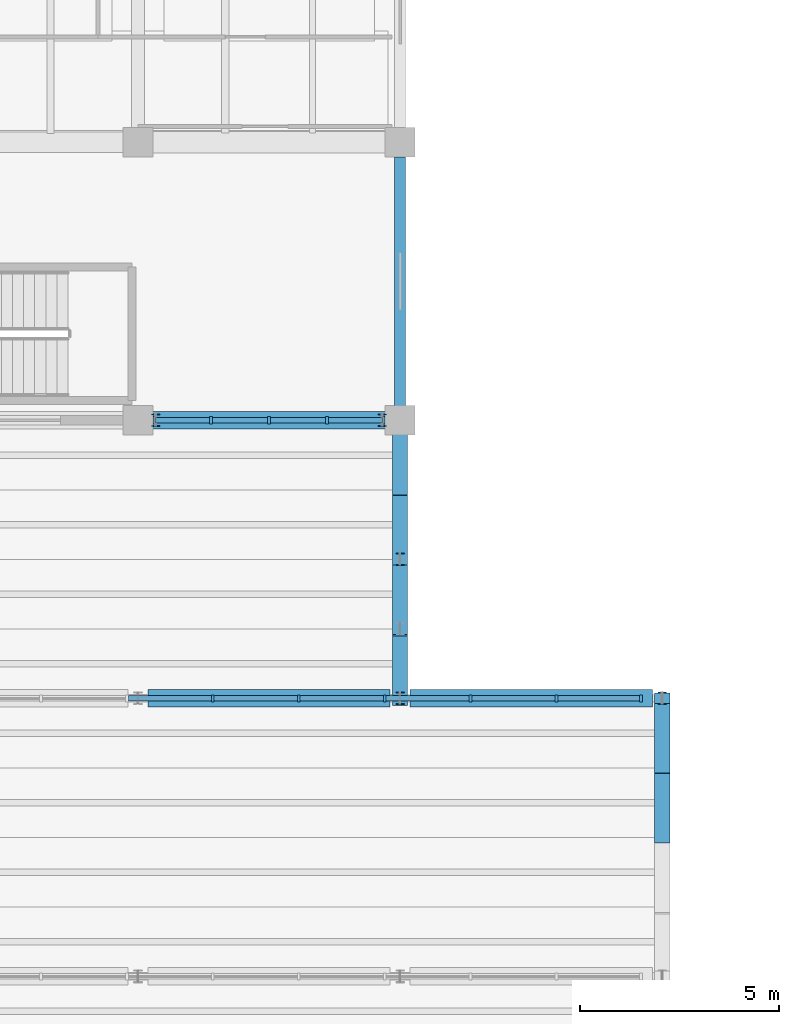
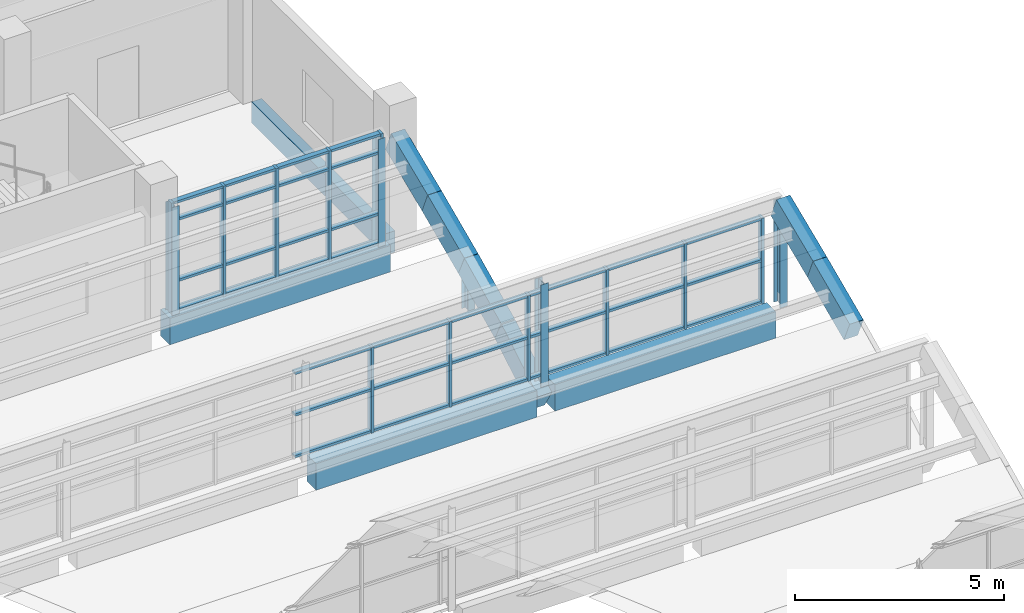
# One storey, part 58 of 92: 50 members, 10 beams, 2 elements without a shape of their own.
"""IFC4 building model written with IfcOpenShell, lengths in metres."""

from ifc_helpers import new_model, si_unit, direction, frame, origin, origin_2d, place, context, subcontext, project, spatial, rectangle, i_section, extrude, material, material_profile, profile_set, type_object, element, aggregate, save


model = new_model("IFC4")

# Units and contexts
model_context = context("Model", 3, precision=1e-05, world=origin(), true_north=direction((0.0, 1.0)))
body_context = subcontext(model_context, "Body", "Model", "MODEL_VIEW")
ifc_project = project(units=[si_unit("LENGTHUNIT", "METRE"), si_unit("AREAUNIT", "SQUARE_METRE"), si_unit("VOLUMEUNIT", "CUBIC_METRE"), si_unit("PLANEANGLEUNIT", "RADIAN"), si_unit("MASSUNIT", "GRAM", prefix="KILO")], contexts=[model_context])

# Site, building, storey
site_placement = place(None, origin())
site = spatial("IfcSite", under=ifc_project, at=site_placement, CompositionType="ELEMENT")
building_placement = place(site_placement, origin())
building = spatial("IfcBuilding", under=site, at=building_placement, Name="Ciguamira Faculty of Natural Sciences", CompositionType="ELEMENT")
storey_placement = place(building_placement, frame((0.0, 0.0, 16.800048828125)))
storey = spatial("IfcBuildingStorey", under=building, at=storey_placement, Name="L04", CompositionType="ELEMENT", Elevation=16.800048828125)

# Curtain wall, members
ifc_material_1 = material(Name="Anodized aluminium curtain wall", Category="aluminium")
curtain_wall_type_1 = type_object("IfcCurtainWallType", Name="CurtainWall_CW-05", PredefinedType="USERDEFINED", material=ifc_material_1)
curtain_wall_1_placement = place(storey_placement, origin())
curtain_wall_1 = element("IfcCurtainWall", 1, at=curtain_wall_1_placement, inside=storey, type_object=curtain_wall_type_1, Name="L04 unitised curtain wall 0125", ObjectType="UNITISED CURTAIN WALL", PredefinedType="USERDEFINED")
ifc_material_2 = material(Name="Anodized aluminium mullion", Category="aluminium")
ifc_material_profile_1 = material_profile(ifc_material_2, rectangle(XDim=0.070068359375, YDim=0.179931640625, at=origin_2d()), Name="ALU-MUL-70X180")
ifc_profile_set_1 = profile_set([ifc_material_profile_1], Name="Anodized aluminium mullion")
member_type_1 = type_object("IfcMemberType", Name="CWMullion_CWM-02", PredefinedType="MULLION", material=ifc_profile_set_1)
member_1_placement = place(storey_placement, frame((103.909912109375, 94.0, 0.0), z_axis=(0.0, 0.0, 1.0), x_axis=(1.0, 0.0, 0.0)))
member_1 = element("IfcMember", 2, at=member_1_placement, type_object=member_type_1, Name="CW-05 mullion 1", PredefinedType="MULLION", context=body_context, shape_type="SweptSolid", body=[
    extrude(rectangle(XDim=0.070068359375, YDim=0.179931640625, at=origin_2d()), origin(), (0.0, 0.0, 1.0), 3.23486328125),
])
member_2_placement = place(storey_placement, frame((105.33740234375, 94.0, 0.0), z_axis=(0.0, 0.0, 1.0), x_axis=(1.0, 0.0, 0.0)))
member_2 = element("IfcMember", 3, at=member_2_placement, type_object=member_type_1, Name="CW-05 mullion 2", PredefinedType="MULLION", context=body_context, shape_type="SweptSolid", body=[
    extrude(rectangle(XDim=0.070068359375, YDim=0.179931640625, at=origin_2d()), origin(), (0.0, 0.0, 1.0), 3.23486328125),
])
member_3_placement = place(storey_placement, frame((106.800048828125, 94.0, 0.0), z_axis=(0.0, 0.0, 1.0), x_axis=(1.0, 0.0, 0.0)))
member_3 = element("IfcMember", 4, at=member_3_placement, type_object=member_type_1, Name="CW-05 mullion 3", PredefinedType="MULLION", context=body_context, shape_type="SweptSolid", body=[
    extrude(rectangle(XDim=0.070068359375, YDim=0.179931640625, at=origin_2d()), origin(), (0.0, 0.0, 1.0), 3.23486328125),
])
member_4_placement = place(storey_placement, frame((108.262451171875, 94.0, 0.0), z_axis=(0.0, 0.0, 1.0), x_axis=(1.0, 0.0, 0.0)))
member_4 = element("IfcMember", 5, at=member_4_placement, type_object=member_type_1, Name="CW-05 mullion 4", PredefinedType="MULLION", context=body_context, shape_type="SweptSolid", body=[
    extrude(rectangle(XDim=0.070068359375, YDim=0.179931640625, at=origin_2d()), origin(), (0.0, 0.0, 1.0), 3.23486328125),
])
member_5_placement = place(storey_placement, frame((109.68994140625, 94.0, 0.0), z_axis=(0.0, 0.0, 1.0), x_axis=(1.0, 0.0, 0.0)))
member_5 = element("IfcMember", 6, at=member_5_placement, type_object=member_type_1, Name="CW-05 mullion 5", PredefinedType="MULLION", context=body_context, shape_type="SweptSolid", body=[
    extrude(rectangle(XDim=0.070068359375, YDim=0.179931640625, at=origin_2d()), origin(), (0.0, 0.0, 1.0), 3.23486328125),
])

curtain_wall_type_2 = type_object("IfcCurtainWallType", Name="CurtainWall_CW-08", PredefinedType="USERDEFINED", material=ifc_material_1)
curtain_wall_2_placement = place(storey_placement, origin())
curtain_wall_2 = element("IfcCurtainWall", 7, at=curtain_wall_2_placement, inside=storey, type_object=curtain_wall_type_2, Name="V4 north-light wave 6 clerestory glazing 1", ObjectType="UNITISED CURTAIN WALL", PredefinedType="USERDEFINED")
member_6_placement = place(storey_placement, frame((105.38525390625, 87.0, 0.25), z_axis=(0.0, 0.0, 1.0), x_axis=(1.0, 0.0, 0.0)))
member_6 = element("IfcMember", 8, at=member_6_placement, type_object=member_type_1, Name="CW-08 mullion 23", PredefinedType="MULLION", context=body_context, shape_type="SweptSolid", body=[
    extrude(rectangle(XDim=0.070068359375, YDim=0.179931640625, at=origin_2d()), origin(), (0.0, 0.0, 1.0), 2.5),
])
member_7_placement = place(storey_placement, frame((107.548095703125, 87.0, 0.25), z_axis=(0.0, 0.0, 1.0), x_axis=(1.0, 0.0, 0.0)))
member_7 = element("IfcMember", 9, at=member_7_placement, type_object=member_type_1, Name="CW-08 mullion 24", PredefinedType="MULLION", context=body_context, shape_type="SweptSolid", body=[
    extrude(rectangle(XDim=0.070068359375, YDim=0.179931640625, at=origin_2d()), origin(), (0.0, 0.0, 1.0), 2.5),
])
member_8_placement = place(storey_placement, frame((109.711181640625, 87.0, 0.25), z_axis=(0.0, 0.0, 1.0), x_axis=(1.0, 0.0, 0.0)))
member_8 = element("IfcMember", 10, at=member_8_placement, type_object=member_type_1, Name="CW-08 mullion 25", PredefinedType="MULLION", context=body_context, shape_type="SweptSolid", body=[
    extrude(rectangle(XDim=0.070068359375, YDim=0.179931640625, at=origin_2d()), origin(), (0.0, 0.0, 1.0), 2.5),
])
member_9_placement = place(storey_placement, frame((111.8740234375, 87.0, 0.25), z_axis=(0.0, 0.0, 1.0), x_axis=(1.0, 0.0, 0.0)))
member_9 = element("IfcMember", 11, at=member_9_placement, type_object=member_type_1, Name="CW-08 mullion 26", PredefinedType="MULLION", context=body_context, shape_type="SweptSolid", body=[
    extrude(rectangle(XDim=0.070068359375, YDim=0.179931640625, at=origin_2d()), origin(), (0.0, 0.0, 1.0), 2.5),
])
member_10_placement = place(storey_placement, frame((114.037109375, 87.0, 0.25), z_axis=(0.0, 0.0, 1.0), x_axis=(1.0, 0.0, 0.0)))
member_10 = element("IfcMember", 12, at=member_10_placement, type_object=member_type_1, Name="CW-08 mullion 27", PredefinedType="MULLION", context=body_context, shape_type="SweptSolid", body=[
    extrude(rectangle(XDim=0.070068359375, YDim=0.179931640625, at=origin_2d()), origin(), (0.0, 0.0, 1.0), 2.5),
])
member_11_placement = place(storey_placement, frame((116.1650390625, 87.0, 0.25), z_axis=(0.0, 0.0, 1.0), x_axis=(1.0, 0.0, 0.0)))
member_11 = element("IfcMember", 13, at=member_11_placement, type_object=member_type_1, Name="CW-08 mullion 28", PredefinedType="MULLION", context=body_context, shape_type="SweptSolid", body=[
    extrude(rectangle(XDim=0.070068359375, YDim=0.179931640625, at=origin_2d()), origin(), (0.0, 0.0, 1.0), 2.5),
])

# Member
ifc_material_3 = material(Name="Anodized aluminium transom", Category="aluminium")
ifc_material_profile_2 = material_profile(ifc_material_3, rectangle(XDim=0.070068359375, YDim=0.139892578125, at=origin_2d()), Name="ALU-TRN-70X140")
ifc_profile_set_2 = profile_set([ifc_material_profile_2], Name="Anodized aluminium transom")
member_type_2 = type_object("IfcMemberType", Name="CWTransom_CWT-02", PredefinedType="USERDEFINED", material=ifc_profile_set_2)
member_12_placement = place(storey_placement, frame((103.945068359375, 94.0, 0.034912109375), z_axis=(1.0, 0.0, 0.0), x_axis=(0.0, 0.0, 1.0)))
member_12 = element("IfcMember", 14, at=member_12_placement, type_object=member_type_2, Name="CW-05 transom 1.1", ObjectType="TRANSOM", PredefinedType="USERDEFINED", context=body_context, shape_type="SweptSolid", body=[
    extrude(rectangle(XDim=0.070068359375, YDim=0.139892578125, at=origin_2d()), origin(), (0.0, 0.0, 1.0), 1.357421875),
])

member_13_placement = place(storey_placement, frame((103.945068359375, 94.0, 0.89990234375), z_axis=(1.0, 0.0, 0.0), x_axis=(0.0, 0.0, 1.0)))
member_13 = element("IfcMember", 15, at=member_13_placement, type_object=member_type_2, Name="CW-05 transom 1.2", ObjectType="TRANSOM", PredefinedType="USERDEFINED", context=body_context, shape_type="SweptSolid", body=[
    extrude(rectangle(XDim=0.070068359375, YDim=0.139892578125, at=origin_2d()), origin(), (0.0, 0.0, 1.0), 1.357421875),
])

member_14_placement = place(storey_placement, frame((103.945068359375, 94.0, 2.68505859375), z_axis=(1.0, 0.0, 0.0), x_axis=(0.0, 0.0, 1.0)))
member_14 = element("IfcMember", 16, at=member_14_placement, type_object=member_type_2, Name="CW-05 transom 1.3", ObjectType="TRANSOM", PredefinedType="USERDEFINED", context=body_context, shape_type="SweptSolid", body=[
    extrude(rectangle(XDim=0.070068359375, YDim=0.139892578125, at=origin_2d()), origin(), (0.0, 0.0, 1.0), 1.357421875),
])

member_15_placement = place(storey_placement, frame((103.945068359375, 94.0, 3.199951171875), z_axis=(1.0, 0.0, 0.0), x_axis=(0.0, 0.0, 1.0)))
member_15 = element("IfcMember", 17, at=member_15_placement, type_object=member_type_2, Name="CW-05 transom 1.4", ObjectType="TRANSOM", PredefinedType="USERDEFINED", context=body_context, shape_type="SweptSolid", body=[
    extrude(rectangle(XDim=0.070068359375, YDim=0.139892578125, at=origin_2d()), origin(), (0.0, 0.0, 1.0), 1.357421875),
])

member_16_placement = place(storey_placement, frame((105.37255859375, 94.0, 0.034912109375), z_axis=(1.0, 0.0, 0.0), x_axis=(0.0, 0.0, 1.0)))
member_16 = element("IfcMember", 18, at=member_16_placement, type_object=member_type_2, Name="CW-05 transom 2.1", ObjectType="TRANSOM", PredefinedType="USERDEFINED", context=body_context, shape_type="SweptSolid", body=[
    extrude(rectangle(XDim=0.070068359375, YDim=0.139892578125, at=origin_2d()), origin(), (0.0, 0.0, 1.0), 1.392333984375),
])

member_17_placement = place(storey_placement, frame((105.37255859375, 94.0, 0.89990234375), z_axis=(1.0, 0.0, 0.0), x_axis=(0.0, 0.0, 1.0)))
member_17 = element("IfcMember", 19, at=member_17_placement, type_object=member_type_2, Name="CW-05 transom 2.2", ObjectType="TRANSOM", PredefinedType="USERDEFINED", context=body_context, shape_type="SweptSolid", body=[
    extrude(rectangle(XDim=0.070068359375, YDim=0.139892578125, at=origin_2d()), origin(), (0.0, 0.0, 1.0), 1.392333984375),
])

member_18_placement = place(storey_placement, frame((105.37255859375, 94.0, 2.68505859375), z_axis=(1.0, 0.0, 0.0), x_axis=(0.0, 0.0, 1.0)))
member_18 = element("IfcMember", 20, at=member_18_placement, type_object=member_type_2, Name="CW-05 transom 2.3", ObjectType="TRANSOM", PredefinedType="USERDEFINED", context=body_context, shape_type="SweptSolid", body=[
    extrude(rectangle(XDim=0.070068359375, YDim=0.139892578125, at=origin_2d()), origin(), (0.0, 0.0, 1.0), 1.392333984375),
])

member_19_placement = place(storey_placement, frame((105.37255859375, 94.0, 3.199951171875), z_axis=(1.0, 0.0, 0.0), x_axis=(0.0, 0.0, 1.0)))
member_19 = element("IfcMember", 21, at=member_19_placement, type_object=member_type_2, Name="CW-05 transom 2.4", ObjectType="TRANSOM", PredefinedType="USERDEFINED", context=body_context, shape_type="SweptSolid", body=[
    extrude(rectangle(XDim=0.070068359375, YDim=0.139892578125, at=origin_2d()), origin(), (0.0, 0.0, 1.0), 1.392333984375),
])

member_20_placement = place(storey_placement, frame((106.8349609375, 94.0, 0.034912109375), z_axis=(1.0, 0.0, 0.0), x_axis=(0.0, 0.0, 1.0)))
member_20 = element("IfcMember", 22, at=member_20_placement, type_object=member_type_2, Name="CW-05 transom 3.1", ObjectType="TRANSOM", PredefinedType="USERDEFINED", context=body_context, shape_type="SweptSolid", body=[
    extrude(rectangle(XDim=0.070068359375, YDim=0.139892578125, at=origin_2d()), origin(), (0.0, 0.0, 1.0), 1.392578125),
])

member_21_placement = place(storey_placement, frame((106.8349609375, 94.0, 0.89990234375), z_axis=(1.0, 0.0, 0.0), x_axis=(0.0, 0.0, 1.0)))
member_21 = element("IfcMember", 23, at=member_21_placement, type_object=member_type_2, Name="CW-05 transom 3.2", ObjectType="TRANSOM", PredefinedType="USERDEFINED", context=body_context, shape_type="SweptSolid", body=[
    extrude(rectangle(XDim=0.070068359375, YDim=0.139892578125, at=origin_2d()), origin(), (0.0, 0.0, 1.0), 1.392578125),
])

member_22_placement = place(storey_placement, frame((106.8349609375, 94.0, 2.68505859375), z_axis=(1.0, 0.0, 0.0), x_axis=(0.0, 0.0, 1.0)))
member_22 = element("IfcMember", 24, at=member_22_placement, type_object=member_type_2, Name="CW-05 transom 3.3", ObjectType="TRANSOM", PredefinedType="USERDEFINED", context=body_context, shape_type="SweptSolid", body=[
    extrude(rectangle(XDim=0.070068359375, YDim=0.139892578125, at=origin_2d()), origin(), (0.0, 0.0, 1.0), 1.392578125),
])

member_23_placement = place(storey_placement, frame((106.8349609375, 94.0, 3.199951171875), z_axis=(1.0, 0.0, 0.0), x_axis=(0.0, 0.0, 1.0)))
member_23 = element("IfcMember", 25, at=member_23_placement, type_object=member_type_2, Name="CW-05 transom 3.4", ObjectType="TRANSOM", PredefinedType="USERDEFINED", context=body_context, shape_type="SweptSolid", body=[
    extrude(rectangle(XDim=0.070068359375, YDim=0.139892578125, at=origin_2d()), origin(), (0.0, 0.0, 1.0), 1.392578125),
])

member_24_placement = place(storey_placement, frame((108.297607421875, 94.0, 0.034912109375), z_axis=(1.0, 0.0, 0.0), x_axis=(0.0, 0.0, 1.0)))
member_24 = element("IfcMember", 26, at=member_24_placement, type_object=member_type_2, Name="CW-05 transom 4.1", ObjectType="TRANSOM", PredefinedType="USERDEFINED", context=body_context, shape_type="SweptSolid", body=[
    extrude(rectangle(XDim=0.070068359375, YDim=0.139892578125, at=origin_2d()), origin(), (0.0, 0.0, 1.0), 1.357421875),
])

member_25_placement = place(storey_placement, frame((108.297607421875, 94.0, 0.89990234375), z_axis=(1.0, 0.0, 0.0), x_axis=(0.0, 0.0, 1.0)))
member_25 = element("IfcMember", 27, at=member_25_placement, type_object=member_type_2, Name="CW-05 transom 4.2", ObjectType="TRANSOM", PredefinedType="USERDEFINED", context=body_context, shape_type="SweptSolid", body=[
    extrude(rectangle(XDim=0.070068359375, YDim=0.139892578125, at=origin_2d()), origin(), (0.0, 0.0, 1.0), 1.357421875),
])

member_26_placement = place(storey_placement, frame((108.297607421875, 94.0, 2.68505859375), z_axis=(1.0, 0.0, 0.0), x_axis=(0.0, 0.0, 1.0)))
member_26 = element("IfcMember", 28, at=member_26_placement, type_object=member_type_2, Name="CW-05 transom 4.3", ObjectType="TRANSOM", PredefinedType="USERDEFINED", context=body_context, shape_type="SweptSolid", body=[
    extrude(rectangle(XDim=0.070068359375, YDim=0.139892578125, at=origin_2d()), origin(), (0.0, 0.0, 1.0), 1.357421875),
])

member_27_placement = place(storey_placement, frame((108.297607421875, 94.0, 3.199951171875), z_axis=(1.0, 0.0, 0.0), x_axis=(0.0, 0.0, 1.0)))
member_27 = element("IfcMember", 29, at=member_27_placement, type_object=member_type_2, Name="CW-05 transom 4.4", ObjectType="TRANSOM", PredefinedType="USERDEFINED", context=body_context, shape_type="SweptSolid", body=[
    extrude(rectangle(XDim=0.070068359375, YDim=0.139892578125, at=origin_2d()), origin(), (0.0, 0.0, 1.0), 1.357421875),
])

aggregate(curtain_wall_1, [member_1, member_2, member_3, member_4, member_5, member_12, member_13, member_14, member_15, member_16, member_17, member_18, member_19, member_20, member_21, member_22, member_23, member_24, member_25, member_26, member_27])

member_28_placement = place(storey_placement, frame((103.25732421875, 87.0, 0.284912109375), z_axis=(1.0, 0.0, 0.0), x_axis=(0.0, 0.0, 1.0)))
member_28 = element("IfcMember", 30, at=member_28_placement, type_object=member_type_2, Name="CW-08 transom 22.1", ObjectType="TRANSOM", PredefinedType="USERDEFINED", context=body_context, shape_type="SweptSolid", body=[
    extrude(rectangle(XDim=0.070068359375, YDim=0.139892578125, at=origin_2d()), origin(), (0.0, 0.0, 1.0), 2.0927734375),
])

member_29_placement = place(storey_placement, frame((103.25732421875, 87.0, 1.5), z_axis=(1.0, 0.0, 0.0), x_axis=(0.0, 0.0, 1.0)))
member_29 = element("IfcMember", 31, at=member_29_placement, type_object=member_type_2, Name="CW-08 transom 22.2", ObjectType="TRANSOM", PredefinedType="USERDEFINED", context=body_context, shape_type="SweptSolid", body=[
    extrude(rectangle(XDim=0.070068359375, YDim=0.139892578125, at=origin_2d()), origin(), (0.0, 0.0, 1.0), 2.0927734375),
])

member_30_placement = place(storey_placement, frame((103.25732421875, 87.0, 2.71484375), z_axis=(1.0, 0.0, 0.0), x_axis=(0.0, 0.0, 1.0)))
member_30 = element("IfcMember", 32, at=member_30_placement, type_object=member_type_2, Name="CW-08 transom 22.3", ObjectType="TRANSOM", PredefinedType="USERDEFINED", context=body_context, shape_type="SweptSolid", body=[
    extrude(rectangle(XDim=0.070068359375, YDim=0.139892578125, at=origin_2d()), origin(), (0.0, 0.0, 1.0), 2.0927734375),
])

member_31_placement = place(storey_placement, frame((105.420166015625, 87.0, 0.284912109375), z_axis=(1.0, 0.0, 0.0), x_axis=(0.0, 0.0, 1.0)))
member_31 = element("IfcMember", 33, at=member_31_placement, type_object=member_type_2, Name="CW-08 transom 23.1", ObjectType="TRANSOM", PredefinedType="USERDEFINED", context=body_context, shape_type="SweptSolid", body=[
    extrude(rectangle(XDim=0.070068359375, YDim=0.139892578125, at=origin_2d()), origin(), (0.0, 0.0, 1.0), 2.093017578125),
])

member_32_placement = place(storey_placement, frame((105.420166015625, 87.0, 1.5), z_axis=(1.0, 0.0, 0.0), x_axis=(0.0, 0.0, 1.0)))
member_32 = element("IfcMember", 34, at=member_32_placement, type_object=member_type_2, Name="CW-08 transom 23.2", ObjectType="TRANSOM", PredefinedType="USERDEFINED", context=body_context, shape_type="SweptSolid", body=[
    extrude(rectangle(XDim=0.070068359375, YDim=0.139892578125, at=origin_2d()), origin(), (0.0, 0.0, 1.0), 2.093017578125),
])

member_33_placement = place(storey_placement, frame((105.420166015625, 87.0, 2.71484375), z_axis=(1.0, 0.0, 0.0), x_axis=(0.0, 0.0, 1.0)))
member_33 = element("IfcMember", 35, at=member_33_placement, type_object=member_type_2, Name="CW-08 transom 23.3", ObjectType="TRANSOM", PredefinedType="USERDEFINED", context=body_context, shape_type="SweptSolid", body=[
    extrude(rectangle(XDim=0.070068359375, YDim=0.139892578125, at=origin_2d()), origin(), (0.0, 0.0, 1.0), 2.093017578125),
])

member_34_placement = place(storey_placement, frame((107.583251953125, 87.0, 0.284912109375), z_axis=(1.0, 0.0, 0.0), x_axis=(0.0, 0.0, 1.0)))
member_34 = element("IfcMember", 36, at=member_34_placement, type_object=member_type_2, Name="CW-08 transom 24.1", ObjectType="TRANSOM", PredefinedType="USERDEFINED", context=body_context, shape_type="SweptSolid", body=[
    extrude(rectangle(XDim=0.070068359375, YDim=0.139892578125, at=origin_2d()), origin(), (0.0, 0.0, 1.0), 2.0927734375),
])

member_35_placement = place(storey_placement, frame((107.583251953125, 87.0, 1.5), z_axis=(1.0, 0.0, 0.0), x_axis=(0.0, 0.0, 1.0)))
member_35 = element("IfcMember", 37, at=member_35_placement, type_object=member_type_2, Name="CW-08 transom 24.2", ObjectType="TRANSOM", PredefinedType="USERDEFINED", context=body_context, shape_type="SweptSolid", body=[
    extrude(rectangle(XDim=0.070068359375, YDim=0.139892578125, at=origin_2d()), origin(), (0.0, 0.0, 1.0), 2.0927734375),
])

member_36_placement = place(storey_placement, frame((107.583251953125, 87.0, 2.71484375), z_axis=(1.0, 0.0, 0.0), x_axis=(0.0, 0.0, 1.0)))
member_36 = element("IfcMember", 38, at=member_36_placement, type_object=member_type_2, Name="CW-08 transom 24.3", ObjectType="TRANSOM", PredefinedType="USERDEFINED", context=body_context, shape_type="SweptSolid", body=[
    extrude(rectangle(XDim=0.070068359375, YDim=0.139892578125, at=origin_2d()), origin(), (0.0, 0.0, 1.0), 2.0927734375),
])

member_37_placement = place(storey_placement, frame((109.74609375, 87.0, 0.284912109375), z_axis=(1.0, 0.0, 0.0), x_axis=(0.0, 0.0, 1.0)))
member_37 = element("IfcMember", 39, at=member_37_placement, type_object=member_type_2, Name="CW-08 transom 25.1", ObjectType="TRANSOM", PredefinedType="USERDEFINED", context=body_context, shape_type="SweptSolid", body=[
    extrude(rectangle(XDim=0.070068359375, YDim=0.139892578125, at=origin_2d()), origin(), (0.0, 0.0, 1.0), 2.093017578125),
])

member_38_placement = place(storey_placement, frame((109.74609375, 87.0, 1.5), z_axis=(1.0, 0.0, 0.0), x_axis=(0.0, 0.0, 1.0)))
member_38 = element("IfcMember", 40, at=member_38_placement, type_object=member_type_2, Name="CW-08 transom 25.2", ObjectType="TRANSOM", PredefinedType="USERDEFINED", context=body_context, shape_type="SweptSolid", body=[
    extrude(rectangle(XDim=0.070068359375, YDim=0.139892578125, at=origin_2d()), origin(), (0.0, 0.0, 1.0), 2.093017578125),
])

member_39_placement = place(storey_placement, frame((109.74609375, 87.0, 2.71484375), z_axis=(1.0, 0.0, 0.0), x_axis=(0.0, 0.0, 1.0)))
member_39 = element("IfcMember", 41, at=member_39_placement, type_object=member_type_2, Name="CW-08 transom 25.3", ObjectType="TRANSOM", PredefinedType="USERDEFINED", context=body_context, shape_type="SweptSolid", body=[
    extrude(rectangle(XDim=0.070068359375, YDim=0.139892578125, at=origin_2d()), origin(), (0.0, 0.0, 1.0), 2.093017578125),
])

member_40_placement = place(storey_placement, frame((111.9091796875, 87.0, 0.284912109375), z_axis=(1.0, 0.0, 0.0), x_axis=(0.0, 0.0, 1.0)))
member_40 = element("IfcMember", 42, at=member_40_placement, type_object=member_type_2, Name="CW-08 transom 26.1", ObjectType="TRANSOM", PredefinedType="USERDEFINED", context=body_context, shape_type="SweptSolid", body=[
    extrude(rectangle(XDim=0.070068359375, YDim=0.139892578125, at=origin_2d()), origin(), (0.0, 0.0, 1.0), 2.0927734375),
])

member_41_placement = place(storey_placement, frame((111.9091796875, 87.0, 1.5), z_axis=(1.0, 0.0, 0.0), x_axis=(0.0, 0.0, 1.0)))
member_41 = element("IfcMember", 43, at=member_41_placement, type_object=member_type_2, Name="CW-08 transom 26.2", ObjectType="TRANSOM", PredefinedType="USERDEFINED", context=body_context, shape_type="SweptSolid", body=[
    extrude(rectangle(XDim=0.070068359375, YDim=0.139892578125, at=origin_2d()), origin(), (0.0, 0.0, 1.0), 2.0927734375),
])

member_42_placement = place(storey_placement, frame((111.9091796875, 87.0, 2.71484375), z_axis=(1.0, 0.0, 0.0), x_axis=(0.0, 0.0, 1.0)))
member_42 = element("IfcMember", 44, at=member_42_placement, type_object=member_type_2, Name="CW-08 transom 26.3", ObjectType="TRANSOM", PredefinedType="USERDEFINED", context=body_context, shape_type="SweptSolid", body=[
    extrude(rectangle(XDim=0.070068359375, YDim=0.139892578125, at=origin_2d()), origin(), (0.0, 0.0, 1.0), 2.0927734375),
])

member_43_placement = place(storey_placement, frame((114.072021484375, 87.0, 0.284912109375), z_axis=(1.0, 0.0, 0.0), x_axis=(0.0, 0.0, 1.0)))
member_43 = element("IfcMember", 45, at=member_43_placement, type_object=member_type_2, Name="CW-08 transom 27.1", ObjectType="TRANSOM", PredefinedType="USERDEFINED", context=body_context, shape_type="SweptSolid", body=[
    extrude(rectangle(XDim=0.070068359375, YDim=0.139892578125, at=origin_2d()), origin(), (0.0, 0.0, 1.0), 2.057861328125),
])

member_44_placement = place(storey_placement, frame((114.072021484375, 87.0, 1.5), z_axis=(1.0, 0.0, 0.0), x_axis=(0.0, 0.0, 1.0)))
member_44 = element("IfcMember", 46, at=member_44_placement, type_object=member_type_2, Name="CW-08 transom 27.2", ObjectType="TRANSOM", PredefinedType="USERDEFINED", context=body_context, shape_type="SweptSolid", body=[
    extrude(rectangle(XDim=0.070068359375, YDim=0.139892578125, at=origin_2d()), origin(), (0.0, 0.0, 1.0), 2.057861328125),
])

member_45_placement = place(storey_placement, frame((114.072021484375, 87.0, 2.71484375), z_axis=(1.0, 0.0, 0.0), x_axis=(0.0, 0.0, 1.0)))
member_45 = element("IfcMember", 47, at=member_45_placement, type_object=member_type_2, Name="CW-08 transom 27.3", ObjectType="TRANSOM", PredefinedType="USERDEFINED", context=body_context, shape_type="SweptSolid", body=[
    extrude(rectangle(XDim=0.070068359375, YDim=0.139892578125, at=origin_2d()), origin(), (0.0, 0.0, 1.0), 2.057861328125),
])

aggregate(curtain_wall_2, [member_6, member_7, member_8, member_9, member_10, member_11, member_28, member_29, member_30, member_31, member_32, member_33, member_34, member_35, member_36, member_37, member_38, member_39, member_40, member_41, member_42, member_43, member_44, member_45])

# Beams
ifc_material_4 = material(Name="Concrete C40/50", Category="concrete")
ifc_material_profile_3 = material_profile(ifc_material_4, rectangle(XDim=0.43994140625, YDim=0.780029296875, at=origin_2d()), Name="RC-BM-440X780")
ifc_profile_set_3 = profile_set([ifc_material_profile_3], Name="Concrete C40/50")
beam_type_1 = type_object("IfcBeamType", Name="RCBeam_BG-06_RC-BM-440X780", PredefinedType="BEAM", material=ifc_profile_set_3)
beam_1_placement = place(storey_placement, frame((103.75, 87.0, -0.39013671875), z_axis=(1.0, 0.0, 0.0), x_axis=(0.0, 1.0, 0.0)))
element("IfcBeam", 48, at=beam_1_placement, inside=storey, type_object=beam_type_1, Name="V4 north-light wave 6 RC valley beam NVL-1-8", PredefinedType="BEAM", context=body_context, shape_type="SweptSolid", body=[
    extrude(rectangle(XDim=0.43994140625, YDim=0.780029296875, at=origin_2d()), origin(), (0.0, 0.0, 1.0), 6.10009765625),
])
beam_2_placement = place(storey_placement, frame((110.35009765625, 87.0, -0.39013671875), z_axis=(1.0, 0.0, 0.0), x_axis=(0.0, 1.0, 0.0)))
element("IfcBeam", 49, at=beam_2_placement, inside=storey, type_object=beam_type_1, Name="V4 north-light wave 6 RC valley beam NVL-1-9", PredefinedType="BEAM", context=body_context, shape_type="SweptSolid", body=[
    extrude(rectangle(XDim=0.43994140625, YDim=0.780029296875, at=origin_2d()), origin(), (0.0, 0.0, 1.0), 6.099853515625),
])
beam_3_placement = place(storey_placement, frame((103.75, 94.0, -0.39013671875), z_axis=(1.0, 0.0, 0.0), x_axis=(0.0, 1.0, 0.0)))
element("IfcBeam", 50, at=beam_3_placement, inside=storey, type_object=beam_type_1, Name="V4 north-light wave 7 RC valley beam NVL-1-7", PredefinedType="BEAM", context=body_context, shape_type="SweptSolid", body=[
    extrude(rectangle(XDim=0.43994140625, YDim=0.780029296875, at=origin_2d()), origin(), (0.0, 0.0, 1.0), 6.10009765625),
])
ifc_material_profile_4 = material_profile(ifc_material_4, rectangle(XDim=0.3798828125, YDim=0.679931640625, at=origin_2d()), Name="RC-BM-380X680")
ifc_profile_set_4 = profile_set([ifc_material_profile_4], Name="Concrete C40/50")
beam_type_2 = type_object("IfcBeamType", Name="RCBeam_BG-09_RC-BM-380X680", PredefinedType="BEAM", material=ifc_profile_set_4)
beam_4_placement = place(storey_placement, frame((116.699951171875, 83.5, 1.3662109375), z_axis=(0.0, 0.914132059628, 0.405416548208), x_axis=(-1.0, 0.0, 0.0)))
element("IfcBeam", 51, at=beam_4_placement, inside=storey, type_object=beam_type_2, Name="V4 wave roof RC edge arch rib 6-1-3-2", PredefinedType="BEAM", context=body_context, shape_type="SweptSolid", body=[
    extrude(rectangle(XDim=0.3798828125, YDim=0.679931640625, at=origin_2d()), origin(), (0.0, 0.0, 1.0), 1.914306640625),
])
beam_5_placement = place(storey_placement, frame((116.699951171875, 85.25, 2.142333984375), z_axis=(0.0, 0.921502225808, 0.388373078148), x_axis=(-1.0, 0.0, 0.0)))
element("IfcBeam", 52, at=beam_5_placement, inside=storey, type_object=beam_type_2, Name="V4 wave roof RC edge arch rib 6-1-4-2", PredefinedType="BEAM", context=body_context, shape_type="SweptSolid", body=[
    extrude(rectangle(XDim=0.3798828125, YDim=0.679931640625, at=origin_2d()), origin(), (0.0, 0.0, 1.0), 1.899169921875),
])
beam_6_placement = place(storey_placement, frame((110.10009765625, 87.0, -0.52001953125), z_axis=(0.0, 0.858273746902, 0.513192142749), x_axis=(-1.0, 0.0, 0.0)))
element("IfcBeam", 53, at=beam_6_placement, inside=storey, type_object=beam_type_2, Name="V4 wave roof RC edge arch rib 7-1-1-2", PredefinedType="BEAM", context=body_context, shape_type="SweptSolid", body=[
    extrude(rectangle(XDim=0.3798828125, YDim=0.679931640625, at=origin_2d()), origin(), (0.0, 0.0, 1.0), 2.0390625),
])
beam_7_placement = place(storey_placement, frame((110.10009765625, 88.75, 0.5263671875), z_axis=(0.0, 0.901554457929, 0.432665643872), x_axis=(-1.0, 0.0, 0.0)))
element("IfcBeam", 54, at=beam_7_placement, inside=storey, type_object=beam_type_2, Name="V4 wave roof RC edge arch rib 7-1-2-2", PredefinedType="BEAM", context=body_context, shape_type="SweptSolid", body=[
    extrude(rectangle(XDim=0.3798828125, YDim=0.679931640625, at=origin_2d()), origin(), (0.0, 0.0, 1.0), 1.941162109375),
])
beam_8_placement = place(storey_placement, frame((110.10009765625, 90.5, 1.3662109375), z_axis=(0.0, 0.914132059628, 0.405416548208), x_axis=(-1.0, 0.0, 0.0)))
element("IfcBeam", 55, at=beam_8_placement, inside=storey, type_object=beam_type_2, Name="V4 wave roof RC edge arch rib 7-1-3-2", PredefinedType="BEAM", context=body_context, shape_type="SweptSolid", body=[
    extrude(rectangle(XDim=0.3798828125, YDim=0.679931640625, at=origin_2d()), origin(), (0.0, 0.0, 1.0), 1.914306640625),
])
beam_9_placement = place(storey_placement, frame((110.10009765625, 92.25, 2.142333984375), z_axis=(0.0, 0.921502225808, 0.388373078148), x_axis=(-1.0, 0.0, 0.0)))
element("IfcBeam", 56, at=beam_9_placement, inside=storey, type_object=beam_type_2, Name="V4 wave roof RC edge arch rib 7-1-4-2", PredefinedType="BEAM", context=body_context, shape_type="SweptSolid", body=[
    extrude(rectangle(XDim=0.3798828125, YDim=0.679931640625, at=origin_2d()), origin(), (0.0, 0.0, 1.0), 1.899169921875),
])
ifc_material_5 = material(Name="Precast concrete C40/50", Category="concrete")
ifc_material_profile_5 = material_profile(ifc_material_5, rectangle(XDim=0.280029296875, YDim=0.6201171875, at=origin_2d()), Name="RC-SP-280X620")
ifc_profile_set_5 = profile_set([ifc_material_profile_5], Name="Precast concrete C40/50")
beam_type_3 = type_object("IfcBeamType", Name="RCBeam_SP-01_RC-SP-280X620", PredefinedType="SPANDREL", material=ifc_profile_set_5)
beam_10_placement = place(storey_placement, frame((110.10009765625, 94.25, -0.31005859375), z_axis=(0.0, 1.0, 0.0), x_axis=(-1.0, 0.0, 0.0)))
element("IfcBeam", 57, at=beam_10_placement, inside=storey, type_object=beam_type_3, Name="L04 girder NS-1432", PredefinedType="SPANDREL", context=body_context, shape_type="SweptSolid", body=[
    extrude(rectangle(XDim=0.280029296875, YDim=0.6201171875, at=origin_2d()), origin(), (0.0, 0.0, 1.0), 6.375),
])

# Members
ifc_material_6 = material(Name="Steel ASTM A992 Grade 50", Category="steel")
ifc_material_profile_6 = material_profile(ifc_material_6, i_section(OverallWidth=0.20458984375, OverallDepth=0.307373046875, WebThickness=0.008544921875, FlangeThickness=0.0146484375, at=origin_2d()), Name="W12X45")
ifc_profile_set_6 = profile_set([ifc_material_profile_6], Name="Steel ASTM A992 Grade 50")
member_type_3 = type_object("IfcMemberType", Name="SteelMember_TS-01_W12X45", PredefinedType="STRUT", material=ifc_profile_set_6)
for number, where, z_axis, x_axis, name in (
    (58, (110.10009765625, 87.0, 0.0), (0.0, 0.0, 1.0), (1.0, 0.0, 0.0), "V4 north-light wave 6 clerestory post 110"),
    (59, (116.699951171875, 87.0, 0.0), (0.0, 0.0, 1.0), (1.0, 0.0, 0.0), "V4 north-light wave 6 clerestory post 117"),
):
    element("IfcMember", number, at=place(storey_placement, frame(where, z_axis=z_axis, x_axis=x_axis)), inside=storey, type_object=member_type_3, Name=name, PredefinedType="STRUT", context=body_context, shape_type="SweptSolid", body=[
        extrude(i_section(OverallWidth=0.20458984375, OverallDepth=0.307373046875, WebThickness=0.008544921875, FlangeThickness=0.0146484375, at=origin_2d()), origin(), (0.0, 0.0, 1.0), 2.986328125),
    ])
for number, where, z_axis, x_axis, name in (
    (60, (103.949951171875, 94.0, 0.0), (0.0, 0.0, 1.0), (1.0, 0.0, 0.0), "V4 north-light wave 7 clerestory post 104"),
    (61, (109.64990234375, 94.0, 0.0), (0.0, 0.0, 1.0), (1.0, 0.0, 0.0), "V4 north-light wave 7 clerestory post 110"),
):
    element("IfcMember", number, at=place(storey_placement, frame(where, z_axis=z_axis, x_axis=x_axis)), inside=storey, type_object=member_type_3, Name=name, PredefinedType="STRUT", context=body_context, shape_type="SweptSolid", body=[
        extrude(i_section(OverallWidth=0.20458984375, OverallDepth=0.307373046875, WebThickness=0.008544921875, FlangeThickness=0.0146484375, at=origin_2d()), origin(), (0.0, 0.0, 1.0), 3.14990234375),
    ])
member_46_placement = place(storey_placement, frame((110.10009765625, 90.5, 0.0), z_axis=(0.0, 0.0, 1.0), x_axis=(1.0, 0.0, 0.0)))
element("IfcMember", 62, at=member_46_placement, inside=storey, type_object=member_type_3, Name="V4 wave roof 7 edge rib support post 3-2", PredefinedType="STRUT", context=body_context, shape_type="SweptSolid", body=[
    extrude(i_section(OverallWidth=0.20458984375, OverallDepth=0.307373046875, WebThickness=0.008544921875, FlangeThickness=0.0146484375, at=origin_2d()), origin(), (0.0, 0.0, 1.0), 1.3662109375),
])

save(model, "model.ifc")
